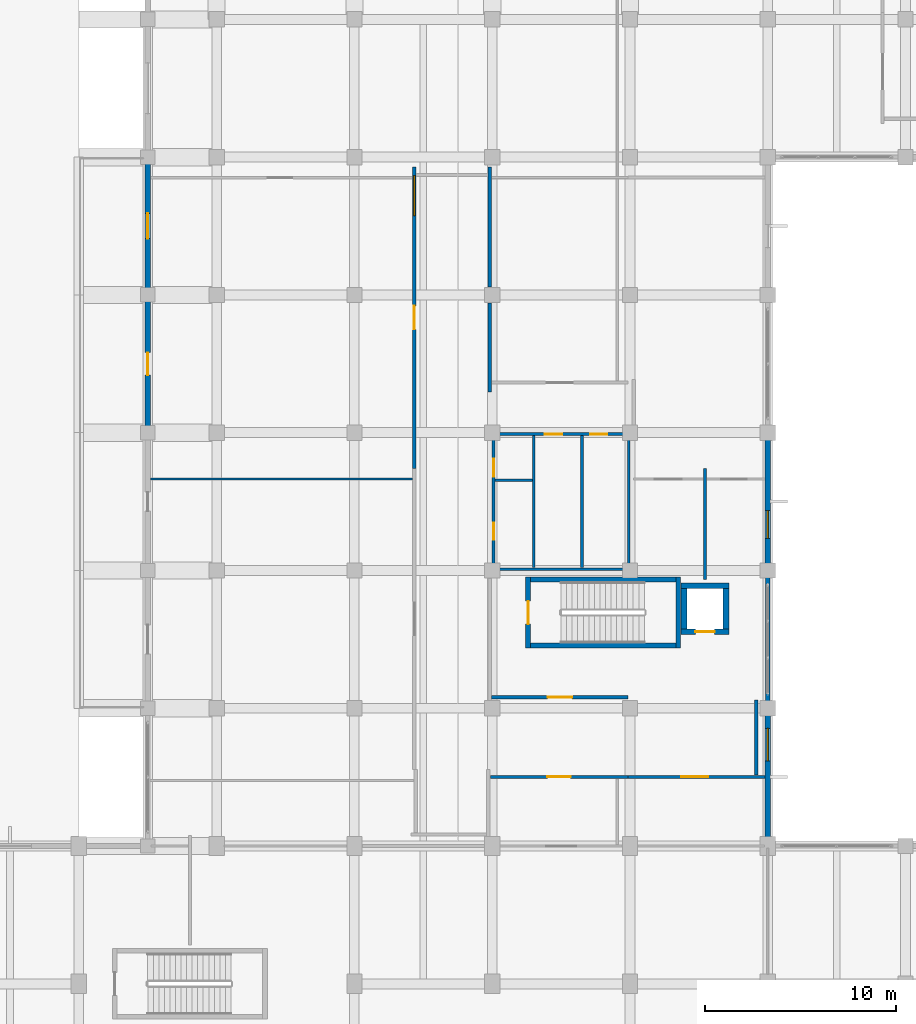
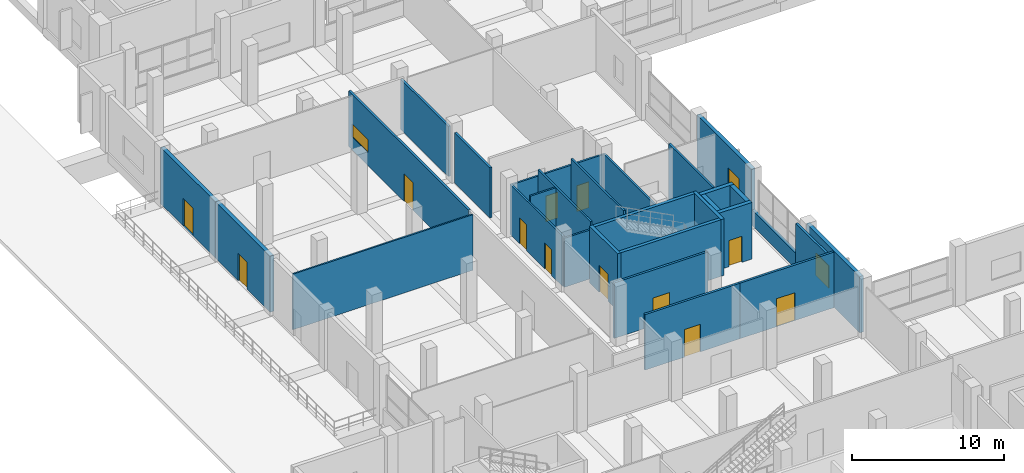
# One storey, part 120 of 140: 29 walls, 12 doors, 3 windows, 15 openings.
"""IFC4 building model written with IfcOpenShell, lengths in metres."""

from ifc_helpers import new_model, si_unit, direction, frame, frame_2d, origin, place, context, subcontext, project, spatial, rectangle, extrude, material, layer, layer_set, type_object, element, fill, save


model = new_model("IFC4")

# Units and contexts
model_context = context("Model", 3, precision=1e-05, world=origin(), true_north=direction((0.0, 1.0)))
body_context = subcontext(model_context, "Body", "Model", "MODEL_VIEW")
ifc_project = project(units=[si_unit("LENGTHUNIT", "METRE"), si_unit("AREAUNIT", "SQUARE_METRE"), si_unit("VOLUMEUNIT", "CUBIC_METRE"), si_unit("PLANEANGLEUNIT", "RADIAN"), si_unit("MASSUNIT", "GRAM", prefix="KILO")], contexts=[model_context])

# Site, building, storey
site_placement = place(None, origin())
site = spatial("IfcSite", under=ifc_project, at=site_placement, CompositionType="ELEMENT")
building_placement = place(site_placement, origin())
building = spatial("IfcBuilding", under=site, at=building_placement, Name="Seraya Terrace Polytechnic", CompositionType="ELEMENT")
storey_placement = place(building_placement, frame((0.0, 0.0, 9.60009765625)))
storey = spatial("IfcBuildingStorey", under=building, at=storey_placement, Name="L02", CompositionType="ELEMENT", Elevation=9.60009765625)

# Wall, opening, door
ifc_material_1 = material(Name="Precast concrete C40/50", Category="concrete")
ifc_layer_1 = layer(ifc_material_1, 0.280029296875, Name="EW-02")
ifc_layer_set_1 = layer_set([ifc_layer_1], Name="Precast concrete C40/50")
wall_type_1 = type_object("IfcWallType", Name="EW-02", PredefinedType="SOLIDWALL", material=ifc_layer_set_1)
wall_1_placement = place(storey_placement, frame((10.800048828125, 50.39990234375, 0.0), z_axis=(0.0, 0.0, 1.0), x_axis=(0.0, 1.0, 0.0)))
wall_1 = element("IfcWall", 1, at=wall_1_placement, inside=storey, type_object=wall_type_1, Name="Exterior structural wall EW-02 L02", PredefinedType="SOLIDWALL", context=body_context, shape_type="SweptSolid", body=[
    extrude(rectangle(XDim=7.2001953125, YDim=0.280029296875, at=frame_2d((3.60009765625, 0.0))), origin(), (0.0, 0.0, 1.0), 4.52001953125),
])
opening_1_placement = place(wall_1_placement, frame((3.010009765625, 0.0, 0.0)))
opening_1 = element("IfcOpeningElement", 2, at=opening_1_placement, cuts=wall_1, Name="Opening TD-02", PredefinedType="OPENING", context=body_context, shape_type="SweptSolid", body=[
    extrude(rectangle(XDim=1.179931640625, YDim=2.179931640625, at=frame_2d((0.58984375, 1.08984375))), frame((0.0, 0.15185546875, 0.0), z_axis=(0.0, -1.0, 0.0), x_axis=(1.0, 0.0, 0.0)), (0.0, 0.0, 1.0), 0.303955078125),
])
ifc_material_2 = material(Name="Anodised aluminium EN AW-6063 T6", Category="aluminium")
door_type_1 = type_object("IfcDoorType", Name="TD-02", OperationType="NOTDEFINED", PredefinedType="DOOR", material=ifc_material_2)
door_1_placement = place(opening_1_placement, origin())
door_1 = element("IfcDoor", 3, at=door_1_placement, inside=storey, type_object=door_type_1, Name="Door TD-02 DR-TERR-L02-00-03 in WL-EXT-L02-00-03", OperationType="SINGLE_SWING_LEFT", OverallHeight=2.179931640625, OverallWidth=1.179931640625, PredefinedType="DOOR", context=body_context, shape_type="SweptSolid", body=[
    extrude(rectangle(XDim=1.179931640625, YDim=2.179931640625, at=frame_2d((0.58984375, 1.08984375))), frame((0.0, 0.02490234375, 0.0), z_axis=(0.0, -1.0, 0.0), x_axis=(1.0, 0.0, 0.0)), (0.0, 0.0, 1.0), 0.050048828125),
])
fill(opening_1, door_1)

wall_2_placement = place(storey_placement, frame((10.800048828125, 57.60009765625, 0.0), z_axis=(0.0, 0.0, 1.0), x_axis=(0.0, 1.0, 0.0)))
wall_2 = element("IfcWall", 4, at=wall_2_placement, inside=storey, type_object=wall_type_1, Name="Exterior structural wall EW-02 L02", PredefinedType="SOLIDWALL", context=body_context, shape_type="SweptSolid", body=[
    extrude(rectangle(XDim=7.199951171875, YDim=0.280029296875, at=frame_2d((3.60009765625, 0.0))), origin(), (0.0, 0.0, 1.0), 4.52001953125),
])
opening_2_placement = place(wall_2_placement, frame((2.93994140625, 0.0, 0.0)))
opening_2 = element("IfcOpeningElement", 5, at=opening_2_placement, cuts=wall_2, Name="Opening TD-03", PredefinedType="OPENING", context=body_context, shape_type="SweptSolid", body=[
    extrude(rectangle(XDim=1.320068359375, YDim=2.199951171875, at=frame_2d((0.66015625, 1.10009765625))), frame((0.0, 0.15185546875, 0.0), z_axis=(0.0, -1.0, 0.0), x_axis=(1.0, 0.0, 0.0)), (0.0, 0.0, 1.0), 0.303955078125),
])
door_type_2 = type_object("IfcDoorType", Name="TD-03", OperationType="NOTDEFINED", PredefinedType="DOOR", material=ifc_material_2)
door_2_placement = place(opening_2_placement, origin())
door_2 = element("IfcDoor", 6, at=door_2_placement, inside=storey, type_object=door_type_2, Name="Door TD-03 DR-TERR-L02-00-04 in WL-EXT-L02-00-04", OperationType="SINGLE_SWING_RIGHT", OverallHeight=2.199951171875, OverallWidth=1.320068359375, PredefinedType="DOOR", context=body_context, shape_type="SweptSolid", body=[
    extrude(rectangle(XDim=1.320068359375, YDim=2.199951171875, at=frame_2d((0.66015625, 1.10009765625))), frame((0.0, 0.02490234375, 0.0), z_axis=(0.0, -1.0, 0.0), x_axis=(1.0, 0.0, 0.0)), (0.0, 0.0, 1.0), 0.050048828125),
])
fill(opening_2, door_2)

# Wall, opening, window
wall_3_placement = place(storey_placement, frame((43.199951171875, 50.39990234375, 0.0), z_axis=(0.0, 0.0, 1.0), x_axis=(0.0, -1.0, 0.0)))
wall_3 = element("IfcWall", 7, at=wall_3_placement, inside=storey, type_object=wall_type_1, Name="Exterior structural wall EW-02 L02", PredefinedType="SOLIDWALL", context=body_context, shape_type="SweptSolid", body=[
    extrude(rectangle(XDim=7.199951171875, YDim=0.280029296875, at=frame_2d((3.60009765625, 0.0))), origin(), (0.0, 0.0, 1.0), 4.52001953125),
])
opening_3_placement = place(wall_3_placement, frame((4.076904296875, 0.0, 0.949951171875)))
opening_3 = element("IfcOpeningElement", 8, at=opening_3_placement, cuts=wall_3, Name="Opening WN-28", PredefinedType="OPENING", context=body_context, shape_type="SweptSolid", body=[
    extrude(rectangle(XDim=1.449951171875, YDim=1.800048828125, at=frame_2d((0.72509765625, 0.89990234375))), frame((0.0, 0.15185546875, 0.0), z_axis=(0.0, -1.0, 0.0), x_axis=(1.0, 0.0, 0.0)), (0.0, 0.0, 1.0), 0.303955078125),
])
ifc_material_3 = material(Name="Laminated solar-control Low-E double glazing", Category="glass")
window_type_1 = type_object("IfcWindowType", Name="WN-28", PartitioningType="SINGLE_PANEL", PredefinedType="WINDOW", material=ifc_material_3)
window_1_placement = place(opening_3_placement, origin())
window_1 = element("IfcWindow", 9, at=window_1_placement, inside=storey, type_object=window_type_1, Name="Exterior window WN-28 L02", OverallHeight=1.800048828125, OverallWidth=1.449951171875, PartitioningType="SINGLE_PANEL", PredefinedType="WINDOW", context=body_context, shape_type="SweptSolid", body=[
    extrude(rectangle(XDim=1.449951171875, YDim=1.800048828125, at=frame_2d((0.72509765625, 0.89990234375))), frame((0.0, 0.030029296875, 0.0), z_axis=(0.0, -1.0, 0.0), x_axis=(1.0, 0.0, 0.0)), (0.0, 0.0, 1.0), 0.06005859375),
])
fill(opening_3, window_1)

wall_4_placement = place(storey_placement, frame((43.199951171875, 36.0, 0.0), z_axis=(0.0, 0.0, 1.0), x_axis=(0.0, -1.0, 0.0)))
wall_4 = element("IfcWall", 10, at=wall_4_placement, inside=storey, type_object=wall_type_1, Name="Exterior structural wall EW-02 L02", PredefinedType="SOLIDWALL", context=body_context, shape_type="SweptSolid", body=[
    extrude(rectangle(XDim=7.033935546875, YDim=0.280029296875, at=frame_2d((3.51708984375, 0.0))), origin(), (0.0, 0.0, 1.0), 4.52001953125),
])
opening_4_placement = place(wall_4_placement, frame((1.048095703125, 0.0, 0.949951171875)))
opening_4 = element("IfcOpeningElement", 11, at=opening_4_placement, cuts=wall_4, Name="Opening WN-29", PredefinedType="OPENING", context=body_context, shape_type="SweptSolid", body=[
    extrude(rectangle(XDim=1.699951171875, YDim=1.800048828125, at=frame_2d((0.85009765625, 0.89990234375))), frame((0.0, 0.15185546875, 0.0), z_axis=(0.0, -1.0, 0.0), x_axis=(1.0, 0.0, 0.0)), (0.0, 0.0, 1.0), 0.303955078125),
])
window_type_2 = type_object("IfcWindowType", Name="WN-29", PartitioningType="SINGLE_PANEL", PredefinedType="WINDOW", material=ifc_material_3)
window_2_placement = place(opening_4_placement, origin())
window_2 = element("IfcWindow", 12, at=window_2_placement, inside=storey, type_object=window_type_2, Name="Exterior window WN-29 L02", OverallHeight=1.800048828125, OverallWidth=1.699951171875, PartitioningType="SINGLE_PANEL", PredefinedType="WINDOW", context=body_context, shape_type="SweptSolid", body=[
    extrude(rectangle(XDim=1.699951171875, YDim=1.800048828125, at=frame_2d((0.85009765625, 0.89990234375))), frame((0.0, 0.030029296875, 0.0), z_axis=(0.0, -1.0, 0.0), x_axis=(1.0, 0.0, 0.0)), (0.0, 0.0, 1.0), 0.06005859375),
])
fill(opening_4, window_2)

# Walls
ifc_layer_2 = layer(ifc_material_1, 0.219970703125, Name="EW-05")
ifc_layer_set_2 = layer_set([ifc_layer_2], Name="Precast concrete C40/50")
wall_type_2 = type_object("IfcWallType", Name="EW-05", PredefinedType="SOLIDWALL", material=ifc_layer_set_2)
wall_5_placement = place(storey_placement, frame((43.199951171875, 43.199951171875, 0.0), z_axis=(0.0, 0.0, 1.0), x_axis=(0.0, -1.0, 0.0)))
element("IfcWall", 13, at=wall_5_placement, inside=storey, type_object=wall_type_2, Name="Precast spandrel wall L02", PredefinedType="SOLIDWALL", context=body_context, shape_type="SweptSolid", body=[
    extrude(rectangle(XDim=7.199951171875, YDim=0.219970703125, at=frame_2d((3.60009765625, 0.0))), origin(), (0.0, 0.0, 1.0), 1.239990234375),
])
ifc_material_4 = material(Name="Autoclaved aerated concrete blockwork", Category="masonry")
ifc_layer_3 = layer(ifc_material_4, 0.169921875, Name="PT-02")
ifc_layer_set_3 = layer_set([ifc_layer_3], Name="Autoclaved aerated concrete blockwork")
wall_type_3 = type_object("IfcWallType", Name="PT-02", PredefinedType="PARTITIONING", material=ifc_layer_set_3)
wall_6_placement = place(storey_placement, frame((28.669921875, 58.010009765625, 0.0), z_axis=(0.0, 0.0, 1.0), x_axis=(0.0, 1.0, 0.0)))
element("IfcWall", 14, at=wall_6_placement, inside=storey, type_object=wall_type_3, Name="Internal partition PT-02 L02", PredefinedType="PARTITIONING", context=body_context, shape_type="SweptSolid", body=[
    extrude(rectangle(XDim=6.278076171875, YDim=0.169921875, at=frame_2d((3.13916015625, 0.0))), origin(), (0.0, 0.0, 1.0), 4.02978515625),
])
wall_7_placement = place(storey_placement, frame((28.669921875, 52.530029296875, 0.0), z_axis=(0.0, 0.0, 1.0), x_axis=(0.0, 1.0, 0.0)))
element("IfcWall", 15, at=wall_7_placement, inside=storey, type_object=wall_type_3, Name="Internal partition PT-02 L02", PredefinedType="PARTITIONING", context=body_context, shape_type="SweptSolid", body=[
    extrude(rectangle(XDim=4.659912109375, YDim=0.169921875, at=frame_2d((2.330078125, 0.0))), origin(), (0.0, 0.0, 1.0), 4.02978515625),
])

# Wall, openings, door, window
wall_8_placement = place(storey_placement, frame((24.72998046875, 48.535888671875, 0.0), z_axis=(0.0, 0.0, 1.0), x_axis=(0.0, 1.0, 0.0)))
wall_8 = element("IfcWall", 16, at=wall_8_placement, inside=storey, type_object=wall_type_3, Name="Internal partition PT-02 L02", PredefinedType="PARTITIONING", context=body_context, shape_type="SweptSolid", body=[
    extrude(rectangle(XDim=15.752197265625, YDim=0.169921875, at=frame_2d((7.8759765625, 0.0))), origin(), (0.0, 0.0, 1.0), 4.4599609375),
])
opening_5_placement = place(wall_8_placement, frame((7.26611328125, 0.0, 0.0)))
opening_5 = element("IfcOpeningElement", 17, at=opening_5_placement, cuts=wall_8, Name="Opening ID-07", PredefinedType="OPENING", context=body_context, shape_type="SweptSolid", body=[
    extrude(rectangle(XDim=1.219970703125, YDim=2.219970703125, at=frame_2d((0.60986328125, 1.10986328125))), frame((0.0, 0.096923828125, 0.0), z_axis=(0.0, -1.0, 0.0), x_axis=(1.0, 0.0, 0.0)), (0.0, 0.0, 1.0), 0.19384765625),
])
opening_6_placement = place(wall_8_placement, frame((13.201904296875, 0.0, 1.050048828125)))
opening_6 = element("IfcOpeningElement", 18, at=opening_6_placement, cuts=wall_8, Name="Opening IW-03", PredefinedType="OPENING", context=body_context, shape_type="SweptSolid", body=[
    extrude(rectangle(XDim=2.10009765625, YDim=1.050048828125, at=frame_2d((1.050048828125, 0.52490234375))), frame((0.0, 0.096923828125, 0.0), z_axis=(0.0, -1.0, 0.0), x_axis=(1.0, 0.0, 0.0)), (0.0, 0.0, 1.0), 0.19384765625),
])
ifc_material_5 = material(Name="Malaysian dark red meranti hardwood timber D40", Category="wood")
door_type_3 = type_object("IfcDoorType", Name="ID-07", OperationType="NOTDEFINED", PredefinedType="DOOR", material=ifc_material_5)
door_3_placement = place(opening_5_placement, origin())
door_3 = element("IfcDoor", 19, at=door_3_placement, inside=storey, type_object=door_type_3, Name="Door ID-07 DR-INT-L02-0164 in WL-INT-L02-0474", OperationType="SINGLE_SWING_LEFT", OverallHeight=2.219970703125, OverallWidth=1.219970703125, PredefinedType="DOOR", context=body_context, shape_type="SweptSolid", body=[
    extrude(rectangle(XDim=1.219970703125, YDim=2.219970703125, at=frame_2d((0.60986328125, 1.10986328125))), frame((0.0, 0.02490234375, 0.0), z_axis=(0.0, -1.0, 0.0), x_axis=(1.0, 0.0, 0.0)), (0.0, 0.0, 1.0), 0.050048828125),
])
fill(opening_5, door_3)
window_type_3 = type_object("IfcWindowType", Name="IW-03", PartitioningType="SINGLE_PANEL", PredefinedType="WINDOW", material=ifc_material_3)
window_3_placement = place(opening_6_placement, origin())
window_3 = element("IfcWindow", 20, at=window_3_placement, inside=storey, type_object=window_type_3, Name="Internal lab vision window IW-03 L02", OverallHeight=1.050048828125, OverallWidth=2.10009765625, PartitioningType="SINGLE_PANEL", PredefinedType="WINDOW", context=body_context, shape_type="SweptSolid", body=[
    extrude(rectangle(XDim=2.10009765625, YDim=1.050048828125, at=frame_2d((1.050048828125, 0.52490234375))), frame((0.0, 0.030029296875, 0.0), z_axis=(0.0, -1.0, 0.0), x_axis=(1.0, 0.0, 0.0)), (0.0, 0.0, 1.0), 0.06005859375),
])
fill(opening_6, window_3)

# Wall, opening, door
wall_9_placement = place(storey_placement, frame((28.699951171875, 32.412109375, 0.0), z_axis=(0.0, 0.0, 1.0), x_axis=(1.0, 0.0, 0.0)))
wall_9 = element("IfcWall", 21, at=wall_9_placement, inside=storey, type_object=wall_type_3, Name="Internal partition PT-02 L02", PredefinedType="PARTITIONING", context=body_context, shape_type="SweptSolid", body=[
    extrude(rectangle(XDim=7.19091796875, YDim=0.169921875, at=frame_2d((3.595458984375, 0.0))), origin(), (0.0, 0.0, 1.0), 4.4599609375),
])
opening_7_placement = place(wall_9_placement, frame((2.9853515625, 0.0, 0.0)))
opening_7 = element("IfcOpeningElement", 22, at=opening_7_placement, cuts=wall_9, Name="Opening ID-07", PredefinedType="OPENING", context=body_context, shape_type="SweptSolid", body=[
    extrude(rectangle(XDim=1.219970703125, YDim=2.219970703125, at=frame_2d((0.60986328125, 1.10986328125))), frame((0.0, 0.096923828125, 0.0), z_axis=(0.0, -1.0, 0.0), x_axis=(1.0, 0.0, 0.0)), (0.0, 0.0, 1.0), 0.19384765625),
])
door_4_placement = place(opening_7_placement, origin())
door_4 = element("IfcDoor", 23, at=door_4_placement, inside=storey, type_object=door_type_3, Name="Door ID-07 DR-INT-L02-0148 in WL-INT-L02-0476", OperationType="SINGLE_SWING_LEFT", OverallHeight=2.219970703125, OverallWidth=1.219970703125, PredefinedType="DOOR", context=body_context, shape_type="SweptSolid", body=[
    extrude(rectangle(XDim=1.219970703125, YDim=2.219970703125, at=frame_2d((0.60986328125, 1.10986328125))), frame((0.0, 0.02490234375, 0.0), z_axis=(0.0, -1.0, 0.0), x_axis=(1.0, 0.0, 0.0)), (0.0, 0.0, 1.0), 0.050048828125),
])
fill(opening_7, door_4)

wall_10_placement = place(storey_placement, frame((28.77001953125, 36.570068359375, 0.0), z_axis=(0.0, 0.0, 1.0), x_axis=(1.0, 0.0, 0.0)))
wall_10 = element("IfcWall", 24, at=wall_10_placement, inside=storey, type_object=wall_type_3, Name="Internal partition PT-02 L02", PredefinedType="PARTITIONING", context=body_context, shape_type="SweptSolid", body=[
    extrude(rectangle(XDim=7.1259765625, YDim=0.169921875, at=frame_2d((3.56298828125, 0.0))), origin(), (0.0, 0.0, 1.0), 4.4599609375),
])
opening_8_placement = place(wall_10_placement, frame((2.923095703125, 0.0, 0.0)))
opening_8 = element("IfcOpeningElement", 25, at=opening_8_placement, cuts=wall_10, Name="Opening ID-08", PredefinedType="OPENING", context=body_context, shape_type="SweptSolid", body=[
    extrude(rectangle(XDim=1.280029296875, YDim=2.219970703125, at=frame_2d((0.64013671875, 1.10986328125))), frame((0.0, 0.096923828125, 0.0), z_axis=(0.0, -1.0, 0.0), x_axis=(1.0, 0.0, 0.0)), (0.0, 0.0, 1.0), 0.19384765625),
])
door_type_4 = type_object("IfcDoorType", Name="ID-08", OperationType="NOTDEFINED", PredefinedType="DOOR", material=ifc_material_5)
door_5_placement = place(opening_8_placement, frame((1.280029296875, 0.0, 0.0), z_axis=(0.0, 0.0, 1.0), x_axis=(-1.0, 0.0, 0.0)))
door_5 = element("IfcDoor", 26, at=door_5_placement, inside=storey, type_object=door_type_4, Name="Door ID-08 DR-INT-L02-0149 in WL-INT-L02-0477", OperationType="SINGLE_SWING_RIGHT", OverallHeight=2.219970703125, OverallWidth=1.280029296875, PredefinedType="DOOR", context=body_context, shape_type="SweptSolid", body=[
    extrude(rectangle(XDim=1.280029296875, YDim=2.219970703125, at=frame_2d((0.64013671875, 1.10986328125))), frame((0.0, 0.02490234375, 0.0), z_axis=(0.0, -1.0, 0.0), x_axis=(1.0, 0.0, 0.0)), (0.0, 0.0, 1.0), 0.050048828125),
])
fill(opening_8, door_5)

wall_11_placement = place(storey_placement, frame((35.890869140625, 32.412109375, 0.0), z_axis=(0.0, 0.0, 1.0), x_axis=(1.0, 0.0, 0.0)))
wall_11 = element("IfcWall", 27, at=wall_11_placement, inside=storey, type_object=wall_type_3, Name="Internal partition PT-02 L02", PredefinedType="PARTITIONING", context=body_context, shape_type="SweptSolid", body=[
    extrude(rectangle(XDim=7.1572265625, YDim=0.169921875, at=frame_2d((3.57861328125, 0.0))), origin(), (0.0, 0.0, 1.0), 4.4599609375),
])
opening_9_placement = place(wall_11_placement, frame((2.78466796875, 0.0, 0.0)))
opening_9 = element("IfcOpeningElement", 28, at=opening_9_placement, cuts=wall_11, Name="Opening ID-10", PredefinedType="OPENING", context=body_context, shape_type="SweptSolid", body=[
    extrude(rectangle(XDim=1.419921875, YDim=2.239990234375, at=frame_2d((0.7099609375, 1.1201171875))), frame((0.0, 0.096923828125, 0.0), z_axis=(0.0, -1.0, 0.0), x_axis=(1.0, 0.0, 0.0)), (0.0, 0.0, 1.0), 0.19384765625),
])
door_type_5 = type_object("IfcDoorType", Name="ID-10", OperationType="DOUBLE_DOOR_SINGLE_SWING", PredefinedType="DOOR", material=ifc_material_5)
door_6_placement = place(opening_9_placement, frame((1.419921875, 0.0, 0.0), z_axis=(0.0, 0.0, 1.0), x_axis=(-1.0, 0.0, 0.0)))
door_6 = element("IfcDoor", 29, at=door_6_placement, inside=storey, type_object=door_type_5, Name="Door ID-10 DR-INT-L02-0151 in WL-INT-L02-0478", OperationType="DOUBLE_DOOR_SINGLE_SWING", OverallHeight=2.239990234375, OverallWidth=1.419921875, PredefinedType="DOOR", context=body_context, shape_type="SweptSolid", body=[
    extrude(rectangle(XDim=1.419921875, YDim=2.239990234375, at=frame_2d((0.7099609375, 1.1201171875))), frame((0.0, 0.02490234375, 0.0), z_axis=(0.0, -1.0, 0.0), x_axis=(1.0, 0.0, 0.0)), (0.0, 0.0, 1.0), 0.050048828125),
])
fill(opening_9, door_6)

# Walls
wall_12_placement = place(storey_placement, frame((42.60009765625, 32.511962890625, 0.0), z_axis=(0.0, 0.0, 1.0), x_axis=(0.0, 1.0, 0.0)))
element("IfcWall", 30, at=wall_12_placement, inside=storey, type_object=wall_type_3, Name="Internal partition PT-02 L02", PredefinedType="PARTITIONING", context=body_context, shape_type="SweptSolid", body=[
    extrude(rectangle(XDim=3.93017578125, YDim=0.169921875, at=frame_2d((1.965087890625, 0.0))), origin(), (0.0, 0.0, 1.0), 4.4599609375),
])
ifc_layer_4 = layer(ifc_material_4, 0.14990234375, Name="PT-03")
ifc_layer_set_4 = layer_set([ifc_layer_4], Name="Autoclaved aerated concrete blockwork")
wall_type_4 = type_object("IfcWallType", Name="PT-03", PredefinedType="PARTITIONING", material=ifc_layer_set_4)
wall_13_placement = place(storey_placement, frame((39.919921875, 42.72998046875, 0.0), z_axis=(0.0, 0.0, 1.0), x_axis=(0.0, 1.0, 0.0)))
element("IfcWall", 31, at=wall_13_placement, inside=storey, type_object=wall_type_4, Name="Internal partition PT-03 L02", PredefinedType="PARTITIONING", context=body_context, shape_type="SweptSolid", body=[
    extrude(rectangle(XDim=5.80029296875, YDim=0.14990234375, at=frame_2d((2.900146484375, 0.0))), origin(), (0.0, 0.0, 1.0), 4.4599609375),
])
ifc_layer_5 = layer(ifc_material_4, 0.139892578125, Name="PT-04")
ifc_layer_set_5 = layer_set([ifc_layer_5], Name="Autoclaved aerated concrete blockwork")
wall_type_5 = type_object("IfcWallType", Name="PT-04", PredefinedType="PARTITIONING", material=ifc_layer_set_5)
wall_14_placement = place(storey_placement, frame((28.8701171875, 43.27001953125, 0.0), z_axis=(0.0, 0.0, 1.0), x_axis=(1.0, 0.0, 0.0)))
element("IfcWall", 32, at=wall_14_placement, inside=storey, type_object=wall_type_5, Name="Sanitary WC-B South wall L02", PredefinedType="PARTITIONING", context=body_context, shape_type="SweptSolid", body=[
    extrude(rectangle(XDim=7.059814453125, YDim=0.139892578125, at=frame_2d((3.52978515625, 0.0))), origin(), (0.0, 0.0, 1.0), 3.929931640625),
])

# Wall, openings, doors
wall_15_placement = place(storey_placement, frame((28.8701171875, 50.330078125, 0.0), z_axis=(0.0, 0.0, 1.0), x_axis=(1.0, 0.0, 0.0)))
wall_15 = element("IfcWall", 33, at=wall_15_placement, inside=storey, type_object=wall_type_5, Name="Sanitary WC-B North wall L02", PredefinedType="PARTITIONING", context=body_context, shape_type="SweptSolid", body=[
    extrude(rectangle(XDim=7.059814453125, YDim=0.139892578125, at=frame_2d((3.52978515625, 0.0))), origin(), (0.0, 0.0, 1.0), 3.929931640625),
])
opening_10_placement = place(wall_15_placement, frame((2.679931640625, 0.0, 0.0)))
opening_10 = element("IfcOpeningElement", 34, at=opening_10_placement, cuts=wall_15, Name="Opening ID-02", PredefinedType="OPENING", context=body_context, shape_type="SweptSolid", body=[
    extrude(rectangle(XDim=0.89990234375, YDim=2.080078125, at=frame_2d((0.449951171875, 1.0400390625))), frame((0.0, 0.08203125, 0.0), z_axis=(0.0, -1.0, 0.0), x_axis=(1.0, 0.0, 0.0)), (0.0, 0.0, 1.0), 0.163818359375),
])
opening_11_placement = place(wall_15_placement, frame((5.050048828125, 0.0, 0.0)))
opening_11 = element("IfcOpeningElement", 35, at=opening_11_placement, cuts=wall_15, Name="Opening ID-02", PredefinedType="OPENING", context=body_context, shape_type="SweptSolid", body=[
    extrude(rectangle(XDim=0.89990234375, YDim=2.080078125, at=frame_2d((0.449951171875, 1.0400390625))), frame((0.0, 0.08203125, 0.0), z_axis=(0.0, -1.0, 0.0), x_axis=(1.0, 0.0, 0.0)), (0.0, 0.0, 1.0), 0.163818359375),
])
door_type_6 = type_object("IfcDoorType", Name="ID-02", OperationType="NOTDEFINED", PredefinedType="DOOR", material=ifc_material_5)
door_7_placement = place(opening_10_placement, frame((0.89990234375, 0.0, 0.0), z_axis=(0.0, 0.0, 1.0), x_axis=(-1.0, 0.0, 0.0)))
door_7 = element("IfcDoor", 36, at=door_7_placement, inside=storey, type_object=door_type_6, Name="Door ID-02 DR-WC-WC-B-L02-M in WL-WC-WC-B-L02-N", OperationType="SINGLE_SWING_LEFT", OverallHeight=2.080078125, OverallWidth=0.89990234375, PredefinedType="DOOR", context=body_context, shape_type="SweptSolid", body=[
    extrude(rectangle(XDim=0.89990234375, YDim=2.080078125, at=frame_2d((0.449951171875, 1.0400390625))), frame((0.0, 0.02490234375, 0.0), z_axis=(0.0, -1.0, 0.0), x_axis=(1.0, 0.0, 0.0)), (0.0, 0.0, 1.0), 0.050048828125),
])
fill(opening_10, door_7)
door_8_placement = place(opening_11_placement, frame((0.89990234375, 0.0, 0.0), z_axis=(0.0, 0.0, 1.0), x_axis=(-1.0, 0.0, 0.0)))
door_8 = element("IfcDoor", 37, at=door_8_placement, inside=storey, type_object=door_type_6, Name="Door ID-02 DR-WC-WC-B-L02-F in WL-WC-WC-B-L02-N", OperationType="SINGLE_SWING_RIGHT", OverallHeight=2.080078125, OverallWidth=0.89990234375, PredefinedType="DOOR", context=body_context, shape_type="SweptSolid", body=[
    extrude(rectangle(XDim=0.89990234375, YDim=2.080078125, at=frame_2d((0.449951171875, 1.0400390625))), frame((0.0, 0.02490234375, 0.0), z_axis=(0.0, -1.0, 0.0), x_axis=(1.0, 0.0, 0.0)), (0.0, 0.0, 1.0), 0.050048828125),
])
fill(opening_11, door_8)

wall_16_placement = place(storey_placement, frame((28.8701171875, 43.35009765625, 0.0), z_axis=(0.0, 0.0, 1.0), x_axis=(0.0, 1.0, 0.0)))
wall_16 = element("IfcWall", 38, at=wall_16_placement, inside=storey, type_object=wall_type_5, Name="Sanitary WC-B West wall L02", PredefinedType="PARTITIONING", context=body_context, shape_type="SweptSolid", body=[
    extrude(rectangle(XDim=6.89990234375, YDim=0.139892578125, at=frame_2d((3.449951171875, 0.0))), origin(), (0.0, 0.0, 1.0), 4.02978515625),
])
opening_12_placement = place(wall_16_placement, frame((1.449951171875, 0.0, 0.0)))
opening_12 = element("IfcOpeningElement", 39, at=opening_12_placement, cuts=wall_16, Name="Opening ID-02", PredefinedType="OPENING", context=body_context, shape_type="SweptSolid", body=[
    extrude(rectangle(XDim=0.89990234375, YDim=2.080078125, at=frame_2d((0.449951171875, 1.0400390625))), frame((0.0, 0.08203125, 0.0), z_axis=(0.0, -1.0, 0.0), x_axis=(1.0, 0.0, 0.0)), (0.0, 0.0, 1.0), 0.163818359375),
])
opening_13_placement = place(wall_16_placement, frame((4.75, 0.0, 0.0)))
opening_13 = element("IfcOpeningElement", 40, at=opening_13_placement, cuts=wall_16, Name="Opening ID-01", PredefinedType="OPENING", context=body_context, shape_type="SweptSolid", body=[
    extrude(rectangle(XDim=0.93994140625, YDim=2.10009765625, at=frame_2d((0.469970703125, 1.050048828125))), frame((0.0, 0.08203125, 0.0), z_axis=(0.0, -1.0, 0.0), x_axis=(1.0, 0.0, 0.0)), (0.0, 0.0, 1.0), 0.163818359375),
])
door_type_7 = type_object("IfcDoorType", Name="ID-01", OperationType="NOTDEFINED", PredefinedType="DOOR", material=ifc_material_5)
door_9_placement = place(opening_13_placement, origin())
door_9 = element("IfcDoor", 41, at=door_9_placement, inside=storey, type_object=door_type_7, Name="Door ID-01 DR-WC-WC-B-L02-OKU in WL-WC-WC-B-L02-W", OperationType="SINGLE_SWING_LEFT", OverallHeight=2.10009765625, OverallWidth=0.93994140625, PredefinedType="DOOR", context=body_context, shape_type="SweptSolid", body=[
    extrude(rectangle(XDim=0.93994140625, YDim=2.10009765625, at=frame_2d((0.469970703125, 1.050048828125))), frame((0.0, 0.02490234375, 0.0), z_axis=(0.0, -1.0, 0.0), x_axis=(1.0, 0.0, 0.0)), (0.0, 0.0, 1.0), 0.050048828125),
])
fill(opening_13, door_9)
door_10_placement = place(opening_12_placement, frame((0.89990234375, 0.0, 0.0), z_axis=(0.0, 0.0, 1.0), x_axis=(-1.0, 0.0, 0.0)))
door_10 = element("IfcDoor", 42, at=door_10_placement, inside=storey, type_object=door_type_6, Name="Door ID-02 DR-WC-WC-B-L02-CLN in WL-WC-WC-B-L02-W", OperationType="SINGLE_SWING_RIGHT", OverallHeight=2.080078125, OverallWidth=0.89990234375, PredefinedType="DOOR", context=body_context, shape_type="SweptSolid", body=[
    extrude(rectangle(XDim=0.89990234375, YDim=2.080078125, at=frame_2d((0.449951171875, 1.0400390625))), frame((0.0, 0.02490234375, 0.0), z_axis=(0.0, -1.0, 0.0), x_axis=(1.0, 0.0, 0.0)), (0.0, 0.0, 1.0), 0.050048828125),
])
fill(opening_12, door_10)

# Walls
wall_17_placement = place(storey_placement, frame((35.929931640625, 43.35009765625, 0.0), z_axis=(0.0, 0.0, 1.0), x_axis=(0.0, 1.0, 0.0)))
element("IfcWall", 43, at=wall_17_placement, inside=storey, type_object=wall_type_5, Name="Sanitary WC-B East wall L02", PredefinedType="PARTITIONING", context=body_context, shape_type="SweptSolid", body=[
    extrude(rectangle(XDim=6.89990234375, YDim=0.139892578125, at=frame_2d((3.449951171875, 0.0))), origin(), (0.0, 0.0, 1.0), 4.02978515625),
])
for number, where, z_axis, x_axis, name in (
    (44, (30.97998046875, 43.35009765625, 0.0), (0.0, 0.0, 1.0), (0.0, 1.0, 0.0), "Sanitary WC-B OKU/Male divider L02"),
    (45, (33.489990234375, 43.35009765625, 0.0), (0.0, 0.0, 1.0), (0.0, 1.0, 0.0), "Sanitary WC-B Male/Female divider L02"),
):
    element("IfcWall", number, at=place(storey_placement, frame(where, z_axis=z_axis, x_axis=x_axis)), inside=storey, type_object=wall_type_5, Name=name, PredefinedType="PARTITIONING", context=body_context, shape_type="SweptSolid", body=[
        extrude(rectangle(XDim=6.89990234375, YDim=0.139892578125, at=frame_2d((3.449951171875, 0.0))), origin(), (0.0, 0.0, 1.0), 4.4599609375),
    ])
wall_18_placement = place(storey_placement, frame((28.949951171875, 47.919921875, 0.0), z_axis=(0.0, 0.0, 1.0), x_axis=(1.0, 0.0, 0.0)))
element("IfcWall", 46, at=wall_18_placement, inside=storey, type_object=wall_type_5, Name="Sanitary WC-B OKU/Cleaner divider L02", PredefinedType="PARTITIONING", context=body_context, shape_type="SweptSolid", body=[
    extrude(rectangle(XDim=1.949951171875, YDim=0.139892578125, at=frame_2d((0.97509765625, 0.0))), origin(), (0.0, 0.0, 1.0), 4.4599609375),
])
ifc_layer_6 = layer(ifc_material_4, 0.1201171875, Name="PT-05")
ifc_layer_set_6 = layer_set([ifc_layer_6], Name="Autoclaved aerated concrete blockwork")
wall_type_6 = type_object("IfcWallType", Name="PT-05", PredefinedType="PARTITIONING", material=ifc_layer_set_6)
wall_19_placement = place(storey_placement, frame((10.951904296875, 47.97607421875, 0.0), z_axis=(0.0, 0.0, 1.0), x_axis=(1.0, 0.0, 0.0)))
element("IfcWall", 47, at=wall_19_placement, inside=storey, type_object=wall_type_6, Name="Internal partition PT-05 L02", PredefinedType="PARTITIONING", context=body_context, shape_type="SweptSolid", body=[
    extrude(rectangle(XDim=13.677978515625, YDim=0.1201171875, at=frame_2d((6.8388671875, 0.0))), origin(), (0.0, 0.0, 1.0), 4.4599609375),
])

# Wall, opening, door
ifc_material_6 = material(Name="Concrete C40/50", Category="concrete")
ifc_layer_7 = layer(ifc_material_6, 0.300048828125, Name="SW-01")
ifc_layer_set_7 = layer_set([ifc_layer_7], Name="Concrete C40/50")
wall_type_7 = type_object("IfcWallType", Name="SW-01", PredefinedType="SHEAR", material=ifc_layer_set_7)
wall_20_placement = place(storey_placement, frame((38.669921875, 40.0, 0.0), z_axis=(0.0, 0.0, 1.0), x_axis=(1.0, 0.0, 0.0)))
wall_20 = element("IfcWall", 48, at=wall_20_placement, inside=storey, type_object=wall_type_7, Name="Lift shaft PL-05 South wall L02", PredefinedType="SHEAR", context=body_context, shape_type="SweptSolid", body=[
    extrude(rectangle(XDim=2.5, YDim=0.300048828125, at=frame_2d((1.25, 0.0))), origin(), (0.0, 0.0, 1.0), 4.5498046875),
])
opening_14_placement = place(wall_20_placement, frame((0.75, 0.0, 0.0)))
opening_14 = element("IfcOpeningElement", 49, at=opening_14_placement, cuts=wall_20, Name="Opening LD-01", PredefinedType="OPENING", context=body_context, shape_type="SweptSolid", body=[
    extrude(rectangle(XDim=1.0, YDim=2.10009765625, at=frame_2d((0.5, 1.050048828125))), frame((0.0, 0.162109375, 0.0), z_axis=(0.0, -1.0, 0.0), x_axis=(1.0, 0.0, 0.0)), (0.0, 0.0, 1.0), 0.323974609375),
])
ifc_material_7 = material(Name="Steel S355J2", Category="steel")
door_type_8 = type_object("IfcDoorType", Name="LD-01", OperationType="SLIDING_TO_LEFT", PredefinedType="DOOR", material=ifc_material_7)
door_11_placement = place(opening_14_placement, frame((1.0, 0.0, 0.0), z_axis=(0.0, 0.0, 1.0), x_axis=(-1.0, 0.0, 0.0)))
door_11 = element("IfcDoor", 50, at=door_11_placement, inside=storey, type_object=door_type_8, Name="Door LD-01 LD-PL-05-L02 in WL-SHF-PL-05-L02-S", OperationType="SLIDING_TO_LEFT", OverallHeight=2.10009765625, OverallWidth=1.0, PredefinedType="DOOR", context=body_context, shape_type="SweptSolid", body=[
    extrude(rectangle(XDim=1.0, YDim=2.10009765625, at=frame_2d((0.5, 1.050048828125))), frame((0.0, 0.02490234375, 0.0), z_axis=(0.0, -1.0, 0.0), x_axis=(1.0, 0.0, 0.0)), (0.0, 0.0, 1.0), 0.050048828125),
])
fill(opening_14, door_11)

# Walls
wall_21_placement = place(storey_placement, frame((38.669921875, 42.39990234375, 0.0), z_axis=(0.0, 0.0, 1.0), x_axis=(1.0, 0.0, 0.0)))
element("IfcWall", 51, at=wall_21_placement, inside=storey, type_object=wall_type_7, Name="Lift shaft PL-05 North wall L02", PredefinedType="SHEAR", context=body_context, shape_type="SweptSolid", body=[
    extrude(rectangle(XDim=2.5, YDim=0.300048828125, at=frame_2d((1.25, 0.0))), origin(), (0.0, 0.0, 1.0), 4.5498046875),
])
for number, where, z_axis, x_axis, name in (
    (52, (38.820068359375, 40.14990234375, 0.0), (0.0, 0.0, 1.0), (0.0, 1.0, 0.0), "Lift shaft PL-05 West wall L02"),
    (53, (41.02001953125, 40.14990234375, 0.0), (0.0, 0.0, 1.0), (0.0, 1.0, 0.0), "Lift shaft PL-05 East wall L02"),
):
    element("IfcWall", number, at=place(storey_placement, frame(where, z_axis=z_axis, x_axis=x_axis)), inside=storey, type_object=wall_type_7, Name=name, PredefinedType="SHEAR", context=body_context, shape_type="SweptSolid", body=[
        extrude(rectangle(XDim=2.10009765625, YDim=0.300048828125, at=frame_2d((1.050048828125, 0.0))), origin(), (0.0, 0.0, 1.0), 4.5498046875),
    ])

# Wall, opening, door
ifc_layer_8 = layer(ifc_material_6, 0.25, Name="SW-02")
ifc_layer_set_8 = layer_set([ifc_layer_8], Name="Concrete C40/50")
wall_type_8 = type_object("IfcWallType", Name="SW-02", PredefinedType="SHEAR", material=ifc_layer_set_8)
wall_22_placement = place(storey_placement, frame((30.675048828125, 39.14990234375, 0.0), z_axis=(0.0, 0.0, 1.0), x_axis=(0.0, 1.0, 0.0)))
wall_22 = element("IfcWall", 54, at=wall_22_placement, inside=storey, type_object=wall_type_8, Name="Stairwell ST-04 West wall L02", PredefinedType="SHEAR", context=body_context, shape_type="SweptSolid", body=[
    extrude(rectangle(XDim=3.7001953125, YDim=0.25, at=frame_2d((1.85009765625, 0.0))), origin(), (0.0, 0.0, 1.0), 4.5498046875),
])
opening_15_placement = place(wall_22_placement, frame((1.25, 0.0, 0.0)))
opening_15 = element("IfcOpeningElement", 55, at=opening_15_placement, cuts=wall_22, Name="Opening FD-01", PredefinedType="OPENING", context=body_context, shape_type="SweptSolid", body=[
    extrude(rectangle(XDim=1.199951171875, YDim=2.14990234375, at=frame_2d((0.60009765625, 1.074951171875))), frame((0.0, 0.136962890625, 0.0), z_axis=(0.0, -1.0, 0.0), x_axis=(1.0, 0.0, 0.0)), (0.0, 0.0, 1.0), 0.27392578125),
])
door_type_9 = type_object("IfcDoorType", Name="FD-01", OperationType="NOTDEFINED", PredefinedType="DOOR", material=ifc_material_7)
door_12_placement = place(opening_15_placement, frame((1.199951171875, 0.0, 0.0), z_axis=(0.0, 0.0, 1.0), x_axis=(-1.0, 0.0, 0.0)))
door_12 = element("IfcDoor", 56, at=door_12_placement, inside=storey, type_object=door_type_9, Name="Door FD-01 DR-STR-ST-04-L02 in WL-STR-ST-04-L02-W", OperationType="SINGLE_SWING_RIGHT", OverallHeight=2.14990234375, OverallWidth=1.199951171875, PredefinedType="DOOR", context=body_context, shape_type="SweptSolid", body=[
    extrude(rectangle(XDim=1.199951171875, YDim=2.14990234375, at=frame_2d((0.60009765625, 1.074951171875))), frame((0.0, 0.02490234375, 0.0), z_axis=(0.0, -1.0, 0.0), x_axis=(1.0, 0.0, 0.0)), (0.0, 0.0, 1.0), 0.050048828125),
])
fill(opening_15, door_12)

# Walls
wall_23_placement = place(storey_placement, frame((38.52490234375, 39.14990234375, 0.0), z_axis=(0.0, 0.0, 1.0), x_axis=(0.0, 1.0, 0.0)))
element("IfcWall", 57, at=wall_23_placement, inside=storey, type_object=wall_type_8, Name="Stairwell ST-04 East wall L02", PredefinedType="SHEAR", context=body_context, shape_type="SweptSolid", body=[
    extrude(rectangle(XDim=3.7001953125, YDim=0.25, at=frame_2d((1.85009765625, 0.0))), origin(), (0.0, 0.0, 1.0), 4.5498046875),
])
for number, where, z_axis, x_axis, name in (
    (58, (30.800048828125, 39.27490234375, 0.0), (0.0, 0.0, 1.0), (1.0, 0.0, 0.0), "Stairwell ST-04 South wall L02"),
    (59, (30.800048828125, 42.72509765625, 0.0), (0.0, 0.0, 1.0), (1.0, 0.0, 0.0), "Stairwell ST-04 North wall L02"),
):
    element("IfcWall", number, at=place(storey_placement, frame(where, z_axis=z_axis, x_axis=x_axis)), inside=storey, type_object=wall_type_8, Name=name, PredefinedType="SHEAR", context=body_context, shape_type="SweptSolid", body=[
        extrude(rectangle(XDim=7.599853515625, YDim=0.25, at=frame_2d((3.7998046875, 0.0))), origin(), (0.0, 0.0, 1.0), 4.5498046875),
    ])

save(model, "model.ifc")
